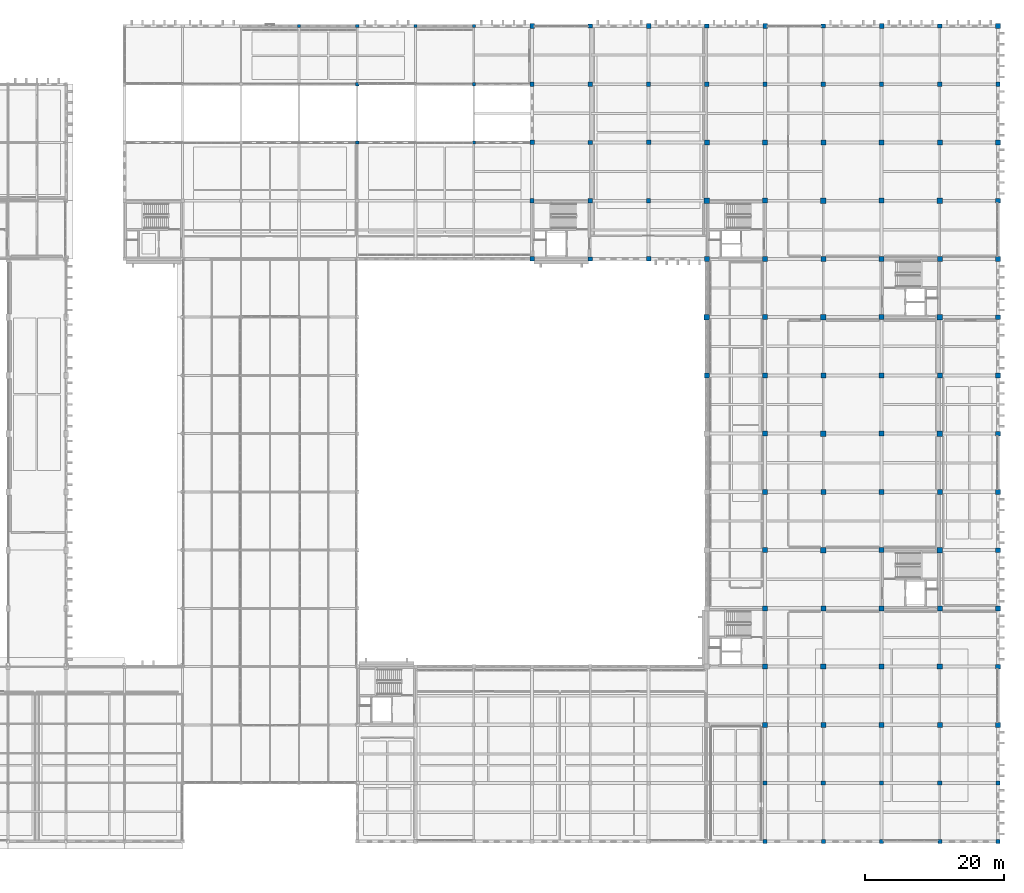
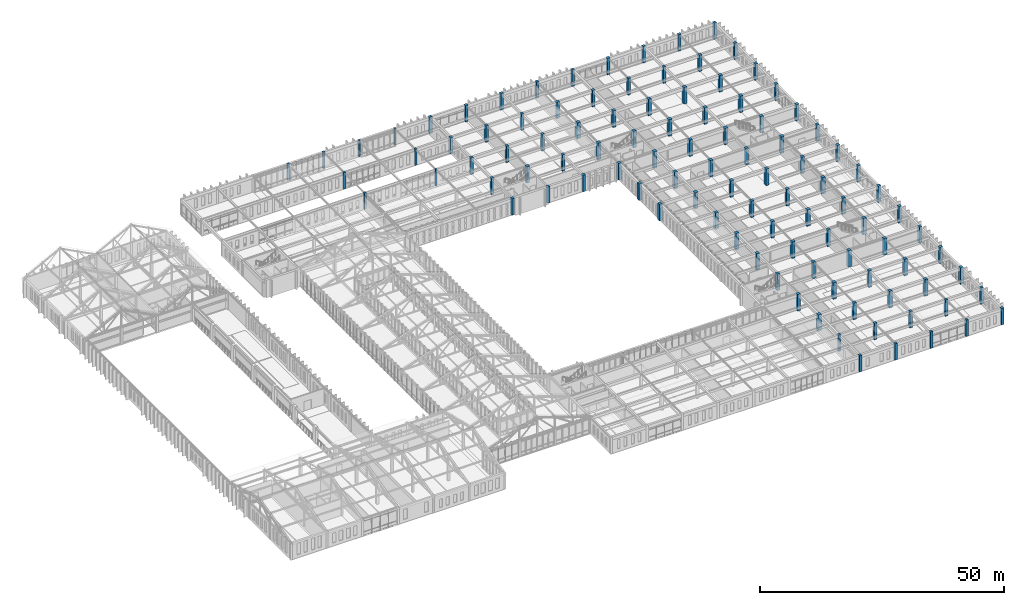
# One storey, part 12 of 192: 105 columns.
"""IFC4 building model written with IfcOpenShell, lengths in metres."""

from ifc_helpers import new_model, si_unit, direction, frame, origin, origin_2d, place, context, subcontext, project, spatial, rectangle, extrude, material, material_profile, profile_set, type_object, element, save


model = new_model("IFC4")

# Units and contexts
model_context = context("Model", 3, precision=1e-05, world=origin(), true_north=direction((0.0, 1.0)))
body_context = subcontext(model_context, "Body", "Model", "MODEL_VIEW")
ifc_project = project(units=[si_unit("LENGTHUNIT", "METRE"), si_unit("AREAUNIT", "SQUARE_METRE"), si_unit("VOLUMEUNIT", "CUBIC_METRE"), si_unit("PLANEANGLEUNIT", "RADIAN"), si_unit("MASSUNIT", "GRAM", prefix="KILO")], contexts=[model_context])

# Site, building, storey
site_placement = place(None, origin())
site = spatial("IfcSite", under=ifc_project, at=site_placement, CompositionType="ELEMENT")
building_placement = place(site_placement, origin())
building = spatial("IfcBuilding", under=site, at=building_placement, Name="Kveldsbrygga Polytechnic", CompositionType="ELEMENT")
storey_placement = place(building_placement, frame((0.0, 0.0, 5.43994140625)))
storey = spatial("IfcBuildingStorey", under=building, at=storey_placement, Name="L01", CompositionType="ELEMENT", Elevation=5.43994140625)

# Columns
ifc_material = material(Name="Concrete C45/55", Category="concrete")
ifc_material_profile_1 = material_profile(ifc_material, rectangle(XDim=0.419921875, YDim=0.419921875, at=origin_2d()), Name="RC 420x420")
ifc_profile_set_1 = profile_set([ifc_material_profile_1], Name="Concrete C45/55")
column_type_1 = type_object("IfcColumnType", Name="COL-RC-420", PredefinedType="COLUMN", material=ifc_profile_set_1)
for number, where, z_axis, x_axis, name in (
    (1, (92.39990234375, 100.800048828125, 0.0), (0.0, 0.0, 1.0), (1.0, 0.0, 0.0), "Column COL-L01-11-12"),
    (2, (92.39990234375, 117.60009765625, 0.0), (0.0, 0.0, 1.0), (1.0, 0.0, 0.0), "Column COL-L01-11-14"),
):
    element("IfcColumn", number, at=place(storey_placement, frame(where, z_axis=z_axis, x_axis=x_axis)), inside=storey, type_object=column_type_1, Name=name, PredefinedType="COLUMN", context=body_context, shape_type="SweptSolid", body=[
        extrude(rectangle(XDim=0.419921875, YDim=0.419921875, at=origin_2d()), origin(), (0.0, 0.0, 1.0), 4.1201171875),
    ])
ifc_material_profile_2 = material_profile(ifc_material, rectangle(XDim=0.449951171875, YDim=0.449951171875, at=origin_2d()), Name="RC 450x450")
ifc_profile_set_2 = profile_set([ifc_material_profile_2], Name="Concrete C45/55")
column_type_2 = type_object("IfcColumnType", Name="COL-RC-450", PredefinedType="COLUMN", material=ifc_profile_set_2)
for number, where, z_axis, x_axis, name in (
    (3, (67.199951171875, 117.60009765625, 0.0), (0.0, 0.0, 1.0), (1.0, 0.0, 0.0), "Column COL-L01-08-14"),
    (4, (84.0, 117.60009765625, 0.0), (0.0, 0.0, 1.0), (1.0, 0.0, 0.0), "Column COL-L01-10-14"),
    (5, (92.39990234375, 109.199951171875, 0.0), (0.0, 0.0, 1.0), (1.0, 0.0, 0.0), "Column COL-L01-11-13"),
):
    element("IfcColumn", number, at=place(storey_placement, frame(where, z_axis=z_axis, x_axis=x_axis)), inside=storey, type_object=column_type_2, Name=name, PredefinedType="COLUMN", context=body_context, shape_type="SweptSolid", body=[
        extrude(rectangle(XDim=0.449951171875, YDim=0.449951171875, at=origin_2d()), origin(), (0.0, 0.0, 1.0), 4.1201171875),
    ])
ifc_material_profile_3 = material_profile(ifc_material, rectangle(XDim=0.47998046875, YDim=0.47998046875, at=origin_2d()), Name="RC 480x480")
ifc_profile_set_3 = profile_set([ifc_material_profile_3], Name="Concrete C45/55")
column_type_3 = type_object("IfcColumnType", Name="COL-RC-480", PredefinedType="COLUMN", material=ifc_profile_set_3)
for number, where, z_axis, x_axis, name in (
    (6, (75.60009765625, 100.800048828125, 0.0), (0.0, 0.0, 1.0), (1.0, 0.0, 0.0), "Column COL-L01-09-12"),
    (7, (75.60009765625, 109.199951171875, 0.0), (0.0, 0.0, 1.0), (1.0, 0.0, 0.0), "Column COL-L01-09-13"),
    (8, (75.60009765625, 117.60009765625, 0.0), (0.0, 0.0, 1.0), (1.0, 0.0, 0.0), "Column COL-L01-09-14"),
):
    element("IfcColumn", number, at=place(storey_placement, frame(where, z_axis=z_axis, x_axis=x_axis)), inside=storey, type_object=column_type_3, Name=name, PredefinedType="COLUMN", context=body_context, shape_type="SweptSolid", body=[
        extrude(rectangle(XDim=0.47998046875, YDim=0.47998046875, at=origin_2d()), origin(), (0.0, 0.0, 1.0), 4.1201171875),
    ])
ifc_material_profile_4 = material_profile(ifc_material, rectangle(XDim=0.580078125, YDim=0.580078125, at=origin_2d()), Name="RC 580x580")
ifc_profile_set_4 = profile_set([ifc_material_profile_4], Name="Concrete C45/55")
column_type_4 = type_object("IfcColumnType", Name="COL-RC-580", PredefinedType="COLUMN", material=ifc_profile_set_4)
for number, where, z_axis, x_axis, name in (
    (9, (134.39990234375, 8.39990234375, 0.0), (0.0, 0.0, 1.0), (1.0, 0.0, 0.0), "Column COL-L01-16-01"),
    (10, (142.800048828125, 0.0, 0.0), (0.0, 0.0, 1.0), (1.0, 0.0, 0.0), "Column COL-L01-17-00"),
    (11, (151.199951171875, 8.39990234375, 0.0), (0.0, 0.0, 1.0), (1.0, 0.0, 0.0), "Column COL-L01-18-01"),
    (12, (159.60009765625, 0.0, 0.0), (0.0, 0.0, 1.0), (1.0, 0.0, 0.0), "Column COL-L01-19-00"),
    (13, (168.0, 8.39990234375, 0.0), (0.0, 0.0, 1.0), (1.0, 0.0, 0.0), "Column COL-L01-20-01"),
):
    element("IfcColumn", number, at=place(storey_placement, frame(where, z_axis=z_axis, x_axis=x_axis)), inside=storey, type_object=column_type_4, Name=name, PredefinedType="COLUMN", context=body_context, shape_type="SweptSolid", body=[
        extrude(rectangle(XDim=0.580078125, YDim=0.580078125, at=origin_2d()), origin(), (0.0, 0.0, 1.0), 4.1201171875),
    ])
ifc_material_profile_5 = material_profile(ifc_material, rectangle(XDim=0.60009765625, YDim=0.60009765625, at=origin_2d()), Name="RC 600x600")
ifc_profile_set_5 = profile_set([ifc_material_profile_5], Name="Concrete C45/55")
column_type_5 = type_object("IfcColumnType", Name="COL-RC-600", PredefinedType="COLUMN", material=ifc_profile_set_5)
for number, where, z_axis, x_axis, name in (
    (14, (134.39990234375, 0.0, 0.0), (0.0, 0.0, 1.0), (1.0, 0.0, 0.0), "Column COL-L01-16-00"),
    (15, (142.800048828125, 8.39990234375, 0.0), (0.0, 0.0, 1.0), (1.0, 0.0, 0.0), "Column COL-L01-17-01"),
    (16, (151.199951171875, 0.0, 0.0), (0.0, 0.0, 1.0), (1.0, 0.0, 0.0), "Column COL-L01-18-00"),
    (17, (159.60009765625, 8.39990234375, 0.0), (0.0, 0.0, 1.0), (1.0, 0.0, 0.0), "Column COL-L01-19-01"),
    (18, (168.0, 0.0, 0.0), (0.0, 0.0, 1.0), (1.0, 0.0, 0.0), "Column COL-L01-20-00"),
):
    element("IfcColumn", number, at=place(storey_placement, frame(where, z_axis=z_axis, x_axis=x_axis)), inside=storey, type_object=column_type_5, Name=name, PredefinedType="COLUMN", context=body_context, shape_type="SweptSolid", body=[
        extrude(rectangle(XDim=0.60009765625, YDim=0.60009765625, at=origin_2d()), origin(), (0.0, 0.0, 1.0), 4.1201171875),
    ])
ifc_material_profile_6 = material_profile(ifc_material, rectangle(XDim=0.6201171875, YDim=0.6201171875, at=origin_2d()), Name="RC 620x620")
ifc_profile_set_6 = profile_set([ifc_material_profile_6], Name="Concrete C45/55")
column_type_6 = type_object("IfcColumnType", Name="COL-RC-620", PredefinedType="COLUMN", material=ifc_profile_set_6)
for number, where, z_axis, x_axis, name in (
    (19, (100.800048828125, 92.39990234375, 0.0), (0.0, 0.0, 1.0), (1.0, 0.0, 0.0), "Column COL-L01-12-11"),
    (20, (100.800048828125, 109.199951171875, 0.0), (0.0, 0.0, 1.0), (1.0, 0.0, 0.0), "Column COL-L01-12-13"),
    (21, (109.199951171875, 84.0, 0.0), (0.0, 0.0, 1.0), (1.0, 0.0, 0.0), "Column COL-L01-13-10"),
    (22, (109.199951171875, 100.800048828125, 0.0), (0.0, 0.0, 1.0), (1.0, 0.0, 0.0), "Column COL-L01-13-12"),
    (23, (109.199951171875, 117.60009765625, 0.0), (0.0, 0.0, 1.0), (1.0, 0.0, 0.0), "Column COL-L01-13-14"),
    (24, (117.60009765625, 92.39990234375, 0.0), (0.0, 0.0, 1.0), (1.0, 0.0, 0.0), "Column COL-L01-14-11"),
    (25, (117.60009765625, 109.199951171875, 0.0), (0.0, 0.0, 1.0), (1.0, 0.0, 0.0), "Column COL-L01-14-13"),
    (26, (126.0, 117.60009765625, 0.0), (0.0, 0.0, 1.0), (1.0, 0.0, 0.0), "Column COL-L01-15-14"),
    (27, (134.39990234375, 109.199951171875, 0.0), (0.0, 0.0, 1.0), (1.0, 0.0, 0.0), "Column COL-L01-16-13"),
    (28, (142.800048828125, 117.60009765625, 0.0), (0.0, 0.0, 1.0), (1.0, 0.0, 0.0), "Column COL-L01-17-14"),
    (29, (151.199951171875, 109.199951171875, 0.0), (0.0, 0.0, 1.0), (1.0, 0.0, 0.0), "Column COL-L01-18-13"),
    (30, (159.60009765625, 117.60009765625, 0.0), (0.0, 0.0, 1.0), (1.0, 0.0, 0.0), "Column COL-L01-19-14"),
    (31, (168.0, 109.199951171875, 0.0), (0.0, 0.0, 1.0), (1.0, 0.0, 0.0), "Column COL-L01-20-13"),
):
    element("IfcColumn", number, at=place(storey_placement, frame(where, z_axis=z_axis, x_axis=x_axis)), inside=storey, type_object=column_type_6, Name=name, PredefinedType="COLUMN", context=body_context, shape_type="SweptSolid", body=[
        extrude(rectangle(XDim=0.6201171875, YDim=0.6201171875, at=origin_2d()), origin(), (0.0, 0.0, 1.0), 4.1201171875),
    ])
ifc_material_profile_7 = material_profile(ifc_material, rectangle(XDim=0.64990234375, YDim=0.64990234375, at=origin_2d()), Name="RC 650x650")
ifc_profile_set_7 = profile_set([ifc_material_profile_7], Name="Concrete C45/55")
column_type_7 = type_object("IfcColumnType", Name="COL-RC-650", PredefinedType="COLUMN", material=ifc_profile_set_7)
for number, where, z_axis, x_axis, name in (
    (32, (100.800048828125, 84.0, 0.0), (0.0, 0.0, 1.0), (1.0, 0.0, 0.0), "Column COL-L01-12-10"),
    (33, (100.800048828125, 100.800048828125, 0.0), (0.0, 0.0, 1.0), (1.0, 0.0, 0.0), "Column COL-L01-12-12"),
    (34, (100.800048828125, 117.60009765625, 0.0), (0.0, 0.0, 1.0), (1.0, 0.0, 0.0), "Column COL-L01-12-14"),
    (35, (109.199951171875, 92.39990234375, 0.0), (0.0, 0.0, 1.0), (1.0, 0.0, 0.0), "Column COL-L01-13-11"),
    (36, (109.199951171875, 109.199951171875, 0.0), (0.0, 0.0, 1.0), (1.0, 0.0, 0.0), "Column COL-L01-13-13"),
    (37, (117.60009765625, 84.0, 0.0), (0.0, 0.0, 1.0), (1.0, 0.0, 0.0), "Column COL-L01-14-10"),
    (38, (117.60009765625, 100.800048828125, 0.0), (0.0, 0.0, 1.0), (1.0, 0.0, 0.0), "Column COL-L01-14-12"),
    (39, (117.60009765625, 117.60009765625, 0.0), (0.0, 0.0, 1.0), (1.0, 0.0, 0.0), "Column COL-L01-14-14"),
    (40, (126.0, 109.199951171875, 0.0), (0.0, 0.0, 1.0), (1.0, 0.0, 0.0), "Column COL-L01-15-13"),
    (41, (134.39990234375, 117.60009765625, 0.0), (0.0, 0.0, 1.0), (1.0, 0.0, 0.0), "Column COL-L01-16-14"),
    (42, (142.800048828125, 109.199951171875, 0.0), (0.0, 0.0, 1.0), (1.0, 0.0, 0.0), "Column COL-L01-17-13"),
    (43, (151.199951171875, 117.60009765625, 0.0), (0.0, 0.0, 1.0), (1.0, 0.0, 0.0), "Column COL-L01-18-14"),
    (44, (159.60009765625, 109.199951171875, 0.0), (0.0, 0.0, 1.0), (1.0, 0.0, 0.0), "Column COL-L01-19-13"),
    (45, (168.0, 117.60009765625, 0.0), (0.0, 0.0, 1.0), (1.0, 0.0, 0.0), "Column COL-L01-20-14"),
):
    element("IfcColumn", number, at=place(storey_placement, frame(where, z_axis=z_axis, x_axis=x_axis)), inside=storey, type_object=column_type_7, Name=name, PredefinedType="COLUMN", context=body_context, shape_type="SweptSolid", body=[
        extrude(rectangle(XDim=0.64990234375, YDim=0.64990234375, at=origin_2d()), origin(), (0.0, 0.0, 1.0), 4.1201171875),
    ])
ifc_material_profile_8 = material_profile(ifc_material, rectangle(XDim=0.679931640625, YDim=0.679931640625, at=origin_2d()), Name="RC 680x680")
ifc_profile_set_8 = profile_set([ifc_material_profile_8], Name="Concrete C45/55")
column_type_8 = type_object("IfcColumnType", Name="COL-RC-680", PredefinedType="COLUMN", material=ifc_profile_set_8)
for number, where, z_axis, x_axis, name in (
    (46, (168.0, 25.199951171875, 0.0), (0.0, 0.0, 1.0), (1.0, 0.0, 0.0), "Column COL-L01-20-03"),
    (47, (168.0, 42.0, 0.0), (0.0, 0.0, 1.0), (1.0, 0.0, 0.0), "Column COL-L01-20-05"),
    (48, (168.0, 58.800048828125, 0.0), (0.0, 0.0, 1.0), (1.0, 0.0, 0.0), "Column COL-L01-20-07"),
    (49, (168.0, 75.60009765625, 0.0), (0.0, 0.0, 1.0), (1.0, 0.0, 0.0), "Column COL-L01-20-09"),
    (50, (168.0, 92.39990234375, 0.0), (0.0, 0.0, 1.0), (1.0, 0.0, 0.0), "Column COL-L01-20-11"),
):
    element("IfcColumn", number, at=place(storey_placement, frame(where, z_axis=z_axis, x_axis=x_axis)), inside=storey, type_object=column_type_8, Name=name, PredefinedType="COLUMN", context=body_context, shape_type="SweptSolid", body=[
        extrude(rectangle(XDim=0.679931640625, YDim=0.679931640625, at=origin_2d()), origin(), (0.0, 0.0, 1.0), 4.1201171875),
    ])
ifc_material_profile_9 = material_profile(ifc_material, rectangle(XDim=0.699951171875, YDim=0.699951171875, at=origin_2d()), Name="RC 700x700")
ifc_profile_set_9 = profile_set([ifc_material_profile_9], Name="Concrete C45/55")
column_type_9 = type_object("IfcColumnType", Name="COL-RC-700", PredefinedType="COLUMN", material=ifc_profile_set_9)
for number, where, z_axis, x_axis, name in (
    (51, (168.0, 16.800048828125, 0.0), (0.0, 0.0, 1.0), (1.0, 0.0, 0.0), "Column COL-L01-20-02"),
    (52, (168.0, 33.60009765625, 0.0), (0.0, 0.0, 1.0), (1.0, 0.0, 0.0), "Column COL-L01-20-04"),
    (53, (168.0, 50.39990234375, 0.0), (0.0, 0.0, 1.0), (1.0, 0.0, 0.0), "Column COL-L01-20-06"),
    (54, (168.0, 67.199951171875, 0.0), (0.0, 0.0, 1.0), (1.0, 0.0, 0.0), "Column COL-L01-20-08"),
    (55, (168.0, 84.0, 0.0), (0.0, 0.0, 1.0), (1.0, 0.0, 0.0), "Column COL-L01-20-10"),
    (56, (168.0, 100.800048828125, 0.0), (0.0, 0.0, 1.0), (1.0, 0.0, 0.0), "Column COL-L01-20-12"),
):
    element("IfcColumn", number, at=place(storey_placement, frame(where, z_axis=z_axis, x_axis=x_axis)), inside=storey, type_object=column_type_9, Name=name, PredefinedType="COLUMN", context=body_context, shape_type="SweptSolid", body=[
        extrude(rectangle(XDim=0.699951171875, YDim=0.699951171875, at=origin_2d()), origin(), (0.0, 0.0, 1.0), 4.1201171875),
    ])
ifc_material_profile_10 = material_profile(ifc_material, rectangle(XDim=0.719970703125, YDim=0.719970703125, at=origin_2d()), Name="RC 720x720")
ifc_profile_set_10 = profile_set([ifc_material_profile_10], Name="Concrete C45/55")
column_type_10 = type_object("IfcColumnType", Name="COL-RC-720", PredefinedType="COLUMN", material=ifc_profile_set_10)
for number, where, z_axis, x_axis, name in (
    (57, (126.0, 67.199951171875, 0.0), (0.0, 0.0, 1.0), (1.0, 0.0, 0.0), "Column COL-L01-15-08"),
    (58, (126.0, 84.0, 0.0), (0.0, 0.0, 1.0), (1.0, 0.0, 0.0), "Column COL-L01-15-10"),
    (59, (126.0, 100.800048828125, 0.0), (0.0, 0.0, 1.0), (1.0, 0.0, 0.0), "Column COL-L01-15-12"),
    (60, (134.39990234375, 25.199951171875, 0.0), (0.0, 0.0, 1.0), (1.0, 0.0, 0.0), "Column COL-L01-16-03"),
    (61, (134.39990234375, 42.0, 0.0), (0.0, 0.0, 1.0), (1.0, 0.0, 0.0), "Column COL-L01-16-05"),
    (62, (134.39990234375, 58.800048828125, 0.0), (0.0, 0.0, 1.0), (1.0, 0.0, 0.0), "Column COL-L01-16-07"),
    (63, (134.39990234375, 75.60009765625, 0.0), (0.0, 0.0, 1.0), (1.0, 0.0, 0.0), "Column COL-L01-16-09"),
    (64, (134.39990234375, 92.39990234375, 0.0), (0.0, 0.0, 1.0), (1.0, 0.0, 0.0), "Column COL-L01-16-11"),
    (65, (142.800048828125, 16.800048828125, 0.0), (0.0, 0.0, 1.0), (1.0, 0.0, 0.0), "Column COL-L01-17-02"),
    (66, (142.800048828125, 33.60009765625, 0.0), (0.0, 0.0, 1.0), (1.0, 0.0, 0.0), "Column COL-L01-17-04"),
    (67, (142.800048828125, 50.39990234375, 0.0), (0.0, 0.0, 1.0), (1.0, 0.0, 0.0), "Column COL-L01-17-06"),
    (68, (142.800048828125, 67.199951171875, 0.0), (0.0, 0.0, 1.0), (1.0, 0.0, 0.0), "Column COL-L01-17-08"),
    (69, (142.800048828125, 84.0, 0.0), (0.0, 0.0, 1.0), (1.0, 0.0, 0.0), "Column COL-L01-17-10"),
    (70, (142.800048828125, 100.800048828125, 0.0), (0.0, 0.0, 1.0), (1.0, 0.0, 0.0), "Column COL-L01-17-12"),
    (71, (151.199951171875, 25.199951171875, 0.0), (0.0, 0.0, 1.0), (1.0, 0.0, 0.0), "Column COL-L01-18-03"),
    (72, (151.199951171875, 42.0, 0.0), (0.0, 0.0, 1.0), (1.0, 0.0, 0.0), "Column COL-L01-18-05"),
    (73, (151.199951171875, 58.800048828125, 0.0), (0.0, 0.0, 1.0), (1.0, 0.0, 0.0), "Column COL-L01-18-07"),
    (74, (151.199951171875, 75.60009765625, 0.0), (0.0, 0.0, 1.0), (1.0, 0.0, 0.0), "Column COL-L01-18-09"),
    (75, (151.199951171875, 92.39990234375, 0.0), (0.0, 0.0, 1.0), (1.0, 0.0, 0.0), "Column COL-L01-18-11"),
    (76, (159.60009765625, 16.800048828125, 0.0), (0.0, 0.0, 1.0), (1.0, 0.0, 0.0), "Column COL-L01-19-02"),
    (77, (159.60009765625, 33.60009765625, 0.0), (0.0, 0.0, 1.0), (1.0, 0.0, 0.0), "Column COL-L01-19-04"),
    (78, (159.60009765625, 50.39990234375, 0.0), (0.0, 0.0, 1.0), (1.0, 0.0, 0.0), "Column COL-L01-19-06"),
    (79, (159.60009765625, 67.199951171875, 0.0), (0.0, 0.0, 1.0), (1.0, 0.0, 0.0), "Column COL-L01-19-08"),
    (80, (159.60009765625, 84.0, 0.0), (0.0, 0.0, 1.0), (1.0, 0.0, 0.0), "Column COL-L01-19-10"),
    (81, (159.60009765625, 100.800048828125, 0.0), (0.0, 0.0, 1.0), (1.0, 0.0, 0.0), "Column COL-L01-19-12"),
):
    element("IfcColumn", number, at=place(storey_placement, frame(where, z_axis=z_axis, x_axis=x_axis)), inside=storey, type_object=column_type_10, Name=name, PredefinedType="COLUMN", context=body_context, shape_type="SweptSolid", body=[
        extrude(rectangle(XDim=0.719970703125, YDim=0.719970703125, at=origin_2d()), origin(), (0.0, 0.0, 1.0), 4.1201171875),
    ])
ifc_material_profile_11 = material_profile(ifc_material, rectangle(XDim=0.75, YDim=0.75, at=origin_2d()), Name="RC 750x750")
ifc_profile_set_11 = profile_set([ifc_material_profile_11], Name="Concrete C45/55")
column_type_11 = type_object("IfcColumnType", Name="COL-RC-750", PredefinedType="COLUMN", material=ifc_profile_set_11)
for number, where, z_axis, x_axis, name in (
    (82, (126.0, 75.60009765625, 0.0), (0.0, 0.0, 1.0), (1.0, 0.0, 0.0), "Column COL-L01-15-09"),
    (83, (126.0, 92.39990234375, 0.0), (0.0, 0.0, 1.0), (1.0, 0.0, 0.0), "Column COL-L01-15-11"),
    (84, (134.39990234375, 16.800048828125, 0.0), (0.0, 0.0, 1.0), (1.0, 0.0, 0.0), "Column COL-L01-16-02"),
    (85, (134.39990234375, 33.60009765625, 0.0), (0.0, 0.0, 1.0), (1.0, 0.0, 0.0), "Column COL-L01-16-04"),
    (86, (134.39990234375, 50.39990234375, 0.0), (0.0, 0.0, 1.0), (1.0, 0.0, 0.0), "Column COL-L01-16-06"),
    (87, (134.39990234375, 67.199951171875, 0.0), (0.0, 0.0, 1.0), (1.0, 0.0, 0.0), "Column COL-L01-16-08"),
    (88, (134.39990234375, 84.0, 0.0), (0.0, 0.0, 1.0), (1.0, 0.0, 0.0), "Column COL-L01-16-10"),
    (89, (134.39990234375, 100.800048828125, 0.0), (0.0, 0.0, 1.0), (1.0, 0.0, 0.0), "Column COL-L01-16-12"),
    (90, (142.800048828125, 25.199951171875, 0.0), (0.0, 0.0, 1.0), (1.0, 0.0, 0.0), "Column COL-L01-17-03"),
    (91, (142.800048828125, 42.0, 0.0), (0.0, 0.0, 1.0), (1.0, 0.0, 0.0), "Column COL-L01-17-05"),
    (92, (142.800048828125, 58.800048828125, 0.0), (0.0, 0.0, 1.0), (1.0, 0.0, 0.0), "Column COL-L01-17-07"),
    (93, (142.800048828125, 75.60009765625, 0.0), (0.0, 0.0, 1.0), (1.0, 0.0, 0.0), "Column COL-L01-17-09"),
    (94, (142.800048828125, 92.39990234375, 0.0), (0.0, 0.0, 1.0), (1.0, 0.0, 0.0), "Column COL-L01-17-11"),
    (95, (151.199951171875, 16.800048828125, 0.0), (0.0, 0.0, 1.0), (1.0, 0.0, 0.0), "Column COL-L01-18-02"),
    (96, (151.199951171875, 33.60009765625, 0.0), (0.0, 0.0, 1.0), (1.0, 0.0, 0.0), "Column COL-L01-18-04"),
    (97, (151.199951171875, 50.39990234375, 0.0), (0.0, 0.0, 1.0), (1.0, 0.0, 0.0), "Column COL-L01-18-06"),
    (98, (151.199951171875, 67.199951171875, 0.0), (0.0, 0.0, 1.0), (1.0, 0.0, 0.0), "Column COL-L01-18-08"),
    (99, (151.199951171875, 84.0, 0.0), (0.0, 0.0, 1.0), (1.0, 0.0, 0.0), "Column COL-L01-18-10"),
    (100, (151.199951171875, 100.800048828125, 0.0), (0.0, 0.0, 1.0), (1.0, 0.0, 0.0), "Column COL-L01-18-12"),
    (101, (159.60009765625, 25.199951171875, 0.0), (0.0, 0.0, 1.0), (1.0, 0.0, 0.0), "Column COL-L01-19-03"),
    (102, (159.60009765625, 42.0, 0.0), (0.0, 0.0, 1.0), (1.0, 0.0, 0.0), "Column COL-L01-19-05"),
    (103, (159.60009765625, 58.800048828125, 0.0), (0.0, 0.0, 1.0), (1.0, 0.0, 0.0), "Column COL-L01-19-07"),
    (104, (159.60009765625, 75.60009765625, 0.0), (0.0, 0.0, 1.0), (1.0, 0.0, 0.0), "Column COL-L01-19-09"),
    (105, (159.60009765625, 92.39990234375, 0.0), (0.0, 0.0, 1.0), (1.0, 0.0, 0.0), "Column COL-L01-19-11"),
):
    element("IfcColumn", number, at=place(storey_placement, frame(where, z_axis=z_axis, x_axis=x_axis)), inside=storey, type_object=column_type_11, Name=name, PredefinedType="COLUMN", context=body_context, shape_type="SweptSolid", body=[
        extrude(rectangle(XDim=0.75, YDim=0.75, at=origin_2d()), origin(), (0.0, 0.0, 1.0), 4.1201171875),
    ])

save(model, "model.ifc")
